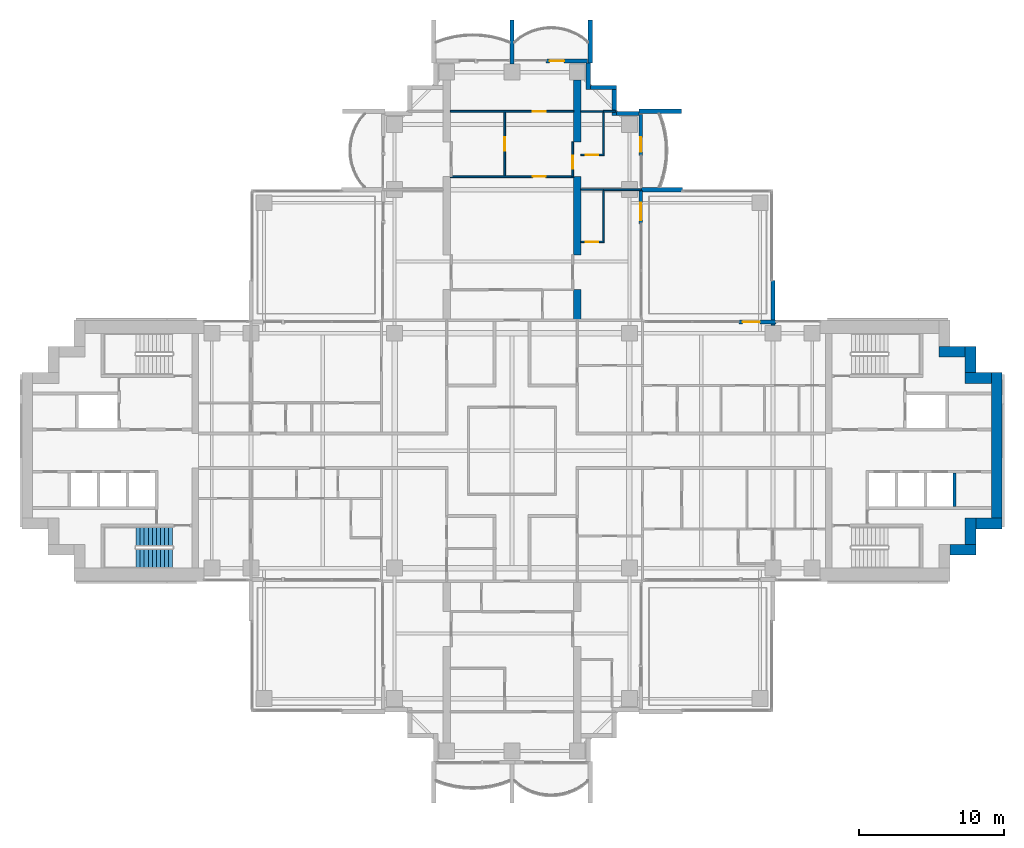
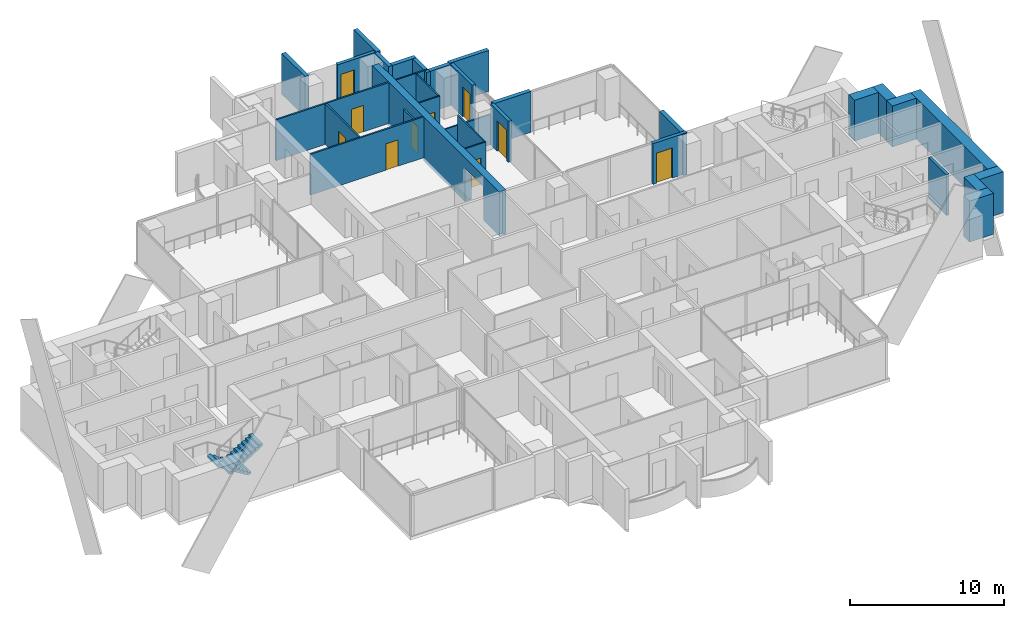
# One storey, part 14 of 19: 34 walls, 10 doors, 2 stair flights, 10 openings, 1 element without a shape of its own.
"""IFC4 building model written with IfcOpenShell, lengths in metres."""

from ifc_helpers import new_model, si_unit, direction, frame, frame_2d, origin, place, context, subcontext, project, spatial, polyline, rectangle, outline, extrude, material, layer, layer_set, material_profile, profile_set, type_object, element, fill, aggregate, save


model = new_model("IFC4")

# Units and contexts
model_context = context("Model", 3, precision=1e-05, world=origin(), true_north=direction((0.0, 1.0)))
body_context = subcontext(model_context, "Body", "Model", "MODEL_VIEW")
ifc_project = project(units=[si_unit("LENGTHUNIT", "METRE"), si_unit("AREAUNIT", "SQUARE_METRE"), si_unit("VOLUMEUNIT", "CUBIC_METRE"), si_unit("PLANEANGLEUNIT", "RADIAN"), si_unit("MASSUNIT", "GRAM", prefix="KILO")], contexts=[model_context])

# Site, building, storey
site_placement = place(None, origin())
site = spatial("IfcSite", under=ifc_project, at=site_placement, CompositionType="ELEMENT")
building_placement = place(site_placement, origin())
building = spatial("IfcBuilding", under=site, at=building_placement, Name="Perihelion Cross Residences", CompositionType="ELEMENT")
storey_placement = place(building_placement, frame((0.0, 0.0, 116.39990234375)))
storey = spatial("IfcBuildingStorey", under=building, at=storey_placement, Name="L27", CompositionType="ELEMENT", Elevation=116.39990234375)

# Wall, opening, door
ifc_material_1 = material(Name="Concrete C30/37, bronze-clad", Category="concrete")
ifc_layer_1 = layer(ifc_material_1, 0.25)
ifc_layer_set_1 = layer_set([ifc_layer_1], Name="Bronze-clad pier wall 250")
wall_type_1 = type_object("IfcWallType", Name="Bronze-clad pier wall 250", PredefinedType="SOLIDWALL", material=ifc_layer_set_1)
wall_1_placement = place(storey_placement, frame((18.199951171875, 8.875, 0.0), z_axis=(0.0, 0.0, 1.0), x_axis=(-1.0, 0.0, 0.0)))
wall_1 = element("IfcWall", 1, at=wall_1_placement, inside=storey, type_object=wall_type_1, Name="Wall FW1 L27 east side north bay 2 pier", PredefinedType="SOLIDWALL", context=body_context, shape_type="SweptSolid", body=[
    extrude(rectangle(XDim=2.550048828125, YDim=0.25, at=frame_2d((1.27490234375, 0.0))), origin(), (0.0, 0.0, 1.0), 3.25),
])
opening_1_placement = place(wall_1_placement, frame((1.10009765625, 0.0, 0.0)))
opening_1 = element("IfcOpeningElement", 2, at=opening_1_placement, cuts=wall_1, Name="Opening L27.E01", PredefinedType="OPENING", context=body_context, shape_type="SweptSolid", body=[
    extrude(rectangle(XDim=1.199951171875, YDim=2.39990234375, at=frame_2d((0.60009765625, 1.199951171875))), frame((0.0, 0.135009765625, 0.0), z_axis=(0.0, -1.0, 0.0), x_axis=(1.0, 0.0, 0.0)), (0.0, 0.0, 1.0), 0.27001953125),
])
ifc_material_2 = material(Name="Bronze anodised aluminium, glazed", Category="aluminium")
door_type_1 = type_object("IfcDoorType", Name="Balcony door 1200 x 2400", OperationType="NOTDEFINED", PredefinedType="DOOR", material=ifc_material_2)
door_1_placement = place(opening_1_placement, origin())
door_1 = element("IfcDoor", 3, at=door_1_placement, inside=storey, type_object=door_type_1, Name="Door L27.E01 east side north bay 2", OperationType="SINGLE_SWING_RIGHT", OverallHeight=2.39990234375, OverallWidth=1.199951171875, PredefinedType="DOOR", context=body_context, shape_type="SweptSolid", body=[
    extrude(rectangle(XDim=1.199951171875, YDim=2.39990234375, at=frame_2d((0.60009765625, 1.199951171875))), frame((0.0, 0.02490234375, 0.0), z_axis=(0.0, -1.0, 0.0), x_axis=(1.0, 0.0, 0.0)), (0.0, 0.0, 1.0), 0.050048828125),
])
fill(opening_1, door_1)

wall_2_placement = place(storey_placement, frame((8.875, 15.64990234375, 0.0), z_axis=(0.0, 0.0, 1.0), x_axis=(0.0, 1.0, 0.0)))
wall_2 = element("IfcWall", 4, at=wall_2_placement, inside=storey, type_object=wall_type_1, Name="Wall FW1 L27 north side east bay 1 pier", PredefinedType="SOLIDWALL", context=body_context, shape_type="SweptSolid", body=[
    extrude(rectangle(XDim=2.2900390625, YDim=0.25, at=frame_2d((1.14501953125, 0.0))), origin(), (0.0, 0.0, 1.0), 3.25),
])
opening_2_placement = place(wall_2_placement, frame((0.25, 0.0, 0.0)))
opening_2 = element("IfcOpeningElement", 5, at=opening_2_placement, cuts=wall_2, Name="Opening L27.E02", PredefinedType="OPENING", context=body_context, shape_type="SweptSolid", body=[
    extrude(rectangle(XDim=1.199951171875, YDim=2.39990234375, at=frame_2d((0.60009765625, 1.199951171875))), frame((0.0, 0.135009765625, 0.0), z_axis=(0.0, -1.0, 0.0), x_axis=(1.0, 0.0, 0.0)), (0.0, 0.0, 1.0), 0.27001953125),
])
door_2_placement = place(opening_2_placement, origin())
door_2 = element("IfcDoor", 6, at=door_2_placement, inside=storey, type_object=door_type_1, Name="Door L27.E02 north side east bay 1", OperationType="SINGLE_SWING_LEFT", OverallHeight=2.39990234375, OverallWidth=1.199951171875, PredefinedType="DOOR", context=body_context, shape_type="SweptSolid", body=[
    extrude(rectangle(XDim=1.199951171875, YDim=2.39990234375, at=frame_2d((0.60009765625, 1.199951171875))), frame((0.0, 0.02490234375, 0.0), z_axis=(0.0, -1.0, 0.0), x_axis=(1.0, 0.0, 0.0)), (0.0, 0.0, 1.0), 0.050048828125),
])
fill(opening_2, door_2)

wall_3_placement = place(storey_placement, frame((8.875, 20.35009765625, 0.0), z_axis=(0.0, 0.0, 1.0), x_axis=(0.0, 1.0, 0.0)))
wall_3 = element("IfcWall", 7, at=wall_3_placement, inside=storey, type_object=wall_type_1, Name="Wall FW1 L27 north side east bay 2 pier", PredefinedType="SOLIDWALL", context=body_context, shape_type="SweptSolid", body=[
    extrude(rectangle(XDim=2.849853515625, YDim=0.25, at=frame_2d((1.4248046875, 0.0))), origin(), (0.0, 0.0, 1.0), 3.25),
])
opening_3_placement = place(wall_3_placement, frame((0.25, 0.0, 0.0)))
opening_3 = element("IfcOpeningElement", 8, at=opening_3_placement, cuts=wall_3, Name="Opening L27.E03", PredefinedType="OPENING", context=body_context, shape_type="SweptSolid", body=[
    extrude(rectangle(XDim=1.0, YDim=2.39990234375, at=frame_2d((0.5, 1.199951171875))), frame((0.0, 0.135009765625, 0.0), z_axis=(0.0, -1.0, 0.0), x_axis=(1.0, 0.0, 0.0)), (0.0, 0.0, 1.0), 0.27001953125),
])
ifc_material_3 = material(Name="Bronze anodised aluminium, glazed", Category="aluminium")
door_type_2 = type_object("IfcDoorType", Name="Balcony door 1000 x 2400", OperationType="NOTDEFINED", PredefinedType="DOOR", material=ifc_material_3)
door_3_placement = place(opening_3_placement, origin())
door_3 = element("IfcDoor", 9, at=door_3_placement, inside=storey, type_object=door_type_2, Name="Door L27.E03 north side east bay 2", OperationType="SINGLE_SWING_RIGHT", OverallHeight=2.39990234375, OverallWidth=1.0, PredefinedType="DOOR", context=body_context, shape_type="SweptSolid", body=[
    extrude(rectangle(XDim=1.0, YDim=2.39990234375, at=frame_2d((0.5, 1.199951171875))), frame((0.0, 0.02490234375, 0.0), z_axis=(0.0, -1.0, 0.0), x_axis=(1.0, 0.0, 0.0)), (0.0, 0.0, 1.0), 0.050048828125),
])
fill(opening_3, door_3)

wall_4_placement = place(storey_placement, frame((5.199951171875, 26.875, 0.0), z_axis=(0.0, 0.0, 1.0), x_axis=(-1.0, 0.0, 0.0)))
wall_4 = element("IfcWall", 10, at=wall_4_placement, inside=storey, type_object=wall_type_1, Name="Wall FW1 L27 north tip north bay 1 pier", PredefinedType="SOLIDWALL", context=body_context, shape_type="SweptSolid", body=[
    extrude(rectangle(XDim=2.849853515625, YDim=0.25, at=frame_2d((1.4248046875, 0.0))), origin(), (0.0, 0.0, 1.0), 3.25),
])
opening_4_placement = place(wall_4_placement, frame((1.60009765625, 0.0, 0.0)))
opening_4 = element("IfcOpeningElement", 11, at=opening_4_placement, cuts=wall_4, Name="Opening L27.E04", PredefinedType="OPENING", context=body_context, shape_type="SweptSolid", body=[
    extrude(rectangle(XDim=1.0, YDim=2.39990234375, at=frame_2d((0.5, 1.199951171875))), frame((0.0, 0.135009765625, 0.0), z_axis=(0.0, -1.0, 0.0), x_axis=(1.0, 0.0, 0.0)), (0.0, 0.0, 1.0), 0.27001953125),
])
door_4_placement = place(opening_4_placement, origin())
door_4 = element("IfcDoor", 12, at=door_4_placement, inside=storey, type_object=door_type_2, Name="Door L27.E04 north tip north bay 1", OperationType="SINGLE_SWING_LEFT", OverallHeight=2.39990234375, OverallWidth=1.0, PredefinedType="DOOR", context=body_context, shape_type="SweptSolid", body=[
    extrude(rectangle(XDim=1.0, YDim=2.39990234375, at=frame_2d((0.5, 1.199951171875))), frame((0.0, 0.02490234375, 0.0), z_axis=(0.0, -1.0, 0.0), x_axis=(1.0, 0.0, 0.0)), (0.0, 0.0, 1.0), 0.050048828125),
])
fill(opening_4, door_4)

# Walls
ifc_material_4 = material(Name="Concrete C30/37, bronze-clad", Category="concrete")
ifc_layer_2 = layer(ifc_material_4, 0.300048828125)
ifc_layer_set_2 = layer_set([ifc_layer_2], Name="Bronze-clad serration wall 300")
wall_type_2 = type_object("IfcWallType", Name="Bronze-clad serration wall 300", PredefinedType="SOLIDWALL", material=ifc_layer_set_2)
wall_5_placement = place(storey_placement, frame((8.75, 23.25, 0.0), z_axis=(0.0, 0.0, 1.0), x_axis=(-1.0, 0.0, 0.0)))
element("IfcWall", 13, at=wall_5_placement, inside=storey, type_object=wall_type_2, Name="Wall SR1 L27 north corner north-east 1", PredefinedType="SOLIDWALL", context=body_context, shape_type="SweptSolid", body=[
    extrude(rectangle(XDim=1.550048828125, YDim=0.300048828125, at=frame_2d((0.77490234375, 0.0))), origin(), (0.0, 0.0, 1.0), 3.25),
])
wall_6_placement = place(storey_placement, frame((7.050048828125, 23.10009765625, 0.0), z_axis=(0.0, 0.0, 1.0), x_axis=(0.0, 1.0, 0.0)))
element("IfcWall", 14, at=wall_6_placement, inside=storey, type_object=wall_type_2, Name="Wall SR1 L27 north corner north-east 2", PredefinedType="SOLIDWALL", context=body_context, shape_type="SweptSolid", body=[
    extrude(rectangle(XDim=1.7998046875, YDim=0.300048828125, at=frame_2d((0.89990234375, 0.0))), origin(), (0.0, 0.0, 1.0), 3.25),
])
wall_7_placement = place(storey_placement, frame((7.199951171875, 25.050048828125, 0.0), z_axis=(0.0, 0.0, 1.0), x_axis=(-1.0, 0.0, 0.0)))
element("IfcWall", 15, at=wall_7_placement, inside=storey, type_object=wall_type_2, Name="Wall SR1 L27 north corner north-east 3", PredefinedType="SOLIDWALL", context=body_context, shape_type="SweptSolid", body=[
    extrude(rectangle(XDim=1.800048828125, YDim=0.300048828125, at=frame_2d((0.89990234375, 0.0))), origin(), (0.0, 0.0, 1.0), 3.25),
])
wall_8_placement = place(storey_placement, frame((5.25, 24.89990234375, 0.0), z_axis=(0.0, 0.0, 1.0), x_axis=(0.0, 1.0, 0.0)))
element("IfcWall", 16, at=wall_8_placement, inside=storey, type_object=wall_type_2, Name="Wall SR1 L27 north corner north-east 4", PredefinedType="SOLIDWALL", context=body_context, shape_type="SweptSolid", body=[
    extrude(rectangle(XDim=1.85009765625, YDim=0.300048828125, at=frame_2d((0.925048828125, 0.0))), origin(), (0.0, 0.0, 1.0), 3.25),
])
ifc_material_5 = material(Name="Concrete C60/75", Category="concrete")
ifc_layer_3 = layer(ifc_material_5, 0.75)
ifc_layer_set_3 = layer_set([ifc_layer_3], Name="Core wall, outer 750")
wall_type_3 = type_object("IfcWallType", Name="Core wall, outer 750", PredefinedType="SHEAR", material=ifc_layer_set_3)
for number, where, z_axis, x_axis, name in (
    (17, (30.199951171875, -6.824951171875, 0.0), (0.0, 0.0, 1.0), (1.0, 0.0, 0.0), "East core core wall, outer"),
    (18, (31.625, -6.449951171875, 0.0), (0.0, 0.0, 1.0), (0.0, 1.0, 0.0), "East core core wall, outer"),
    (19, (32.0, -5.02490234375, 0.0), (0.0, 0.0, 1.0), (1.0, 0.0, 0.0), "East core core wall, outer"),
):
    element("IfcWall", number, at=place(storey_placement, frame(where, z_axis=z_axis, x_axis=x_axis)), inside=storey, type_object=wall_type_3, Name=name, PredefinedType="SHEAR", context=body_context, shape_type="SweptSolid", body=[
        extrude(rectangle(XDim=1.800048828125, YDim=0.75, at=frame_2d((0.89990234375, 0.0))), origin(), (0.0, 0.0, 1.0), 3.25),
    ])
wall_9_placement = place(storey_placement, frame((33.425048828125, -4.64990234375, 0.0), z_axis=(0.0, 0.0, 1.0), x_axis=(0.0, 1.0, 0.0)))
element("IfcWall", 20, at=wall_9_placement, inside=storey, type_object=wall_type_3, Name="East core core wall, outer", PredefinedType="SHEAR", context=body_context, shape_type="SweptSolid", body=[
    extrude(rectangle(XDim=10.0498046875, YDim=0.75, at=frame_2d((5.02490234375, 0.0))), origin(), (0.0, 0.0, 1.0), 3.25),
])
for number, where, z_axis, x_axis, name in (
    (21, (31.25, 5.02490234375, 0.0), (0.0, 0.0, 1.0), (1.0, 0.0, 0.0), "East core core wall, outer"),
    (22, (31.625, 5.39990234375, 0.0), (0.0, 0.0, 1.0), (0.0, 1.0, 0.0), "East core core wall, outer"),
    (23, (29.449951171875, 6.824951171875, 0.0), (0.0, 0.0, 1.0), (1.0, 0.0, 0.0), "East core core wall, outer"),
):
    element("IfcWall", number, at=place(storey_placement, frame(where, z_axis=z_axis, x_axis=x_axis)), inside=storey, type_object=wall_type_3, Name=name, PredefinedType="SHEAR", context=body_context, shape_type="SweptSolid", body=[
        extrude(rectangle(XDim=1.800048828125, YDim=0.75, at=frame_2d((0.89990234375, 0.0))), origin(), (0.0, 0.0, 1.0), 3.25),
    ])

# Wall, opening, door
ifc_material_6 = material(Name="Plasterboard partition")
ifc_layer_4 = layer(ifc_material_6, 0.1201171875)
ifc_layer_set_4 = layer_set([ifc_layer_4], Name="Infill panel 120")
wall_type_4 = type_object("IfcWallType", Name="Infill panel 120", PredefinedType="PARTITIONING", material=ifc_layer_set_4)
wall_10_placement = place(storey_placement, frame((4.18994140625, 18.89990234375, 0.0), z_axis=(0.0, 0.0, 1.0), x_axis=(0.0, 1.0, 0.0)))
wall_10 = element("IfcWall", 24, at=wall_10_placement, inside=storey, type_object=wall_type_4, Name="Partition L27 WI02", PredefinedType="PARTITIONING", context=body_context, shape_type="SweptSolid", body=[
    extrude(rectangle(XDim=2.400146484375, YDim=0.1201171875, at=frame_2d((1.2001953125, 0.0))), origin(), (0.0, 0.0, 1.0), 2.400146484375),
])
opening_5_placement = place(wall_10_placement, frame((0.550048828125, 0.0, 0.0)))
opening_5 = element("IfcOpeningElement", 25, at=opening_5_placement, cuts=wall_10, Name="Opening L27.A54", PredefinedType="OPENING", context=body_context, shape_type="SweptSolid", body=[
    extrude(rectangle(XDim=0.89990234375, YDim=2.10009765625, at=frame_2d((0.449951171875, 1.050048828125))), frame((0.0, 0.070068359375, 0.0), z_axis=(0.0, -1.0, 0.0), x_axis=(1.0, 0.0, 0.0)), (0.0, 0.0, 1.0), 0.14013671875),
])
ifc_material_7 = material(Name="Timber door leaf", Category="wood")
door_type_3 = type_object("IfcDoorType", Name="Interior room door 900 x 2100", OperationType="SINGLE_SWING_LEFT", PredefinedType="DOOR", material=ifc_material_7)
door_5_placement = place(opening_5_placement, origin())
door_5 = element("IfcDoor", 26, at=door_5_placement, inside=storey, type_object=door_type_3, Name="Door L27.A54", OperationType="SINGLE_SWING_RIGHT", OverallHeight=2.10009765625, OverallWidth=0.89990234375, PredefinedType="DOOR", context=body_context, shape_type="SweptSolid", body=[
    extrude(rectangle(XDim=0.89990234375, YDim=2.10009765625, at=frame_2d((0.449951171875, 1.050048828125))), frame((0.0, 0.02490234375, 0.0), z_axis=(0.0, -1.0, 0.0), x_axis=(1.0, 0.0, 0.0)), (0.0, 0.0, 1.0), 0.050048828125),
])
fill(opening_5, door_5)

ifc_material_8 = material(Name="Plasterboard partition")
ifc_layer_5 = layer(ifc_material_8, 0.1201171875)
ifc_layer_set_5 = layer_set([ifc_layer_5], Name="Partition wall 120")
wall_type_5 = type_object("IfcWallType", Name="Partition wall 120", PredefinedType="PARTITIONING", material=ifc_layer_set_5)
wall_11_placement = place(storey_placement, frame((-4.25, 18.89990234375, 0.0), z_axis=(0.0, 0.0, 1.0), x_axis=(1.0, 0.0, 0.0)))
wall_11 = element("IfcWall", 27, at=wall_11_placement, inside=storey, type_object=wall_type_5, Name="Partition L27 W069", PredefinedType="PARTITIONING", context=body_context, shape_type="SweptSolid", body=[
    extrude(rectangle(XDim=8.5, YDim=0.1201171875, at=frame_2d((4.25, 0.0))), origin(), (0.0, 0.0, 1.0), 3.25),
])
opening_6_placement = place(wall_11_placement, frame((5.675048828125, 0.0, 0.0)))
opening_6 = element("IfcOpeningElement", 28, at=opening_6_placement, cuts=wall_11, Name="Opening L27.A38", PredefinedType="OPENING", context=body_context, shape_type="SweptSolid", body=[
    extrude(rectangle(XDim=0.89990234375, YDim=2.10009765625, at=frame_2d((0.449951171875, 1.050048828125))), frame((0.0, 0.070068359375, 0.0), z_axis=(0.0, -1.0, 0.0), x_axis=(1.0, 0.0, 0.0)), (0.0, 0.0, 1.0), 0.14013671875),
])
door_6_placement = place(opening_6_placement, origin())
door_6 = element("IfcDoor", 29, at=door_6_placement, inside=storey, type_object=door_type_3, Name="Door L27.A38", OperationType="SINGLE_SWING_LEFT", OverallHeight=2.10009765625, OverallWidth=0.89990234375, PredefinedType="DOOR", context=body_context, shape_type="SweptSolid", body=[
    extrude(rectangle(XDim=0.89990234375, YDim=2.10009765625, at=frame_2d((0.449951171875, 1.050048828125))), frame((0.0, 0.02490234375, 0.0), z_axis=(0.0, -1.0, 0.0), x_axis=(1.0, 0.0, 0.0)), (0.0, 0.0, 1.0), 0.050048828125),
])
fill(opening_6, door_6)

wall_12_placement = place(storey_placement, frame((-0.5, 18.9599609375, 0.0), z_axis=(0.0, 0.0, 1.0), x_axis=(0.0, 1.0, 0.0)))
wall_12 = element("IfcWall", 30, at=wall_12_placement, inside=storey, type_object=wall_type_5, Name="Partition L27 W070", PredefinedType="PARTITIONING", context=body_context, shape_type="SweptSolid", body=[
    extrude(rectangle(XDim=4.380126953125, YDim=0.1201171875, at=frame_2d((2.18994140625, 0.0))), origin(), (0.0, 0.0, 1.0), 3.25),
])
opening_7_placement = place(wall_12_placement, frame((1.739990234375, 0.0, 0.0)))
opening_7 = element("IfcOpeningElement", 31, at=opening_7_placement, cuts=wall_12, Name="Opening L27.A39", PredefinedType="OPENING", context=body_context, shape_type="SweptSolid", body=[
    extrude(rectangle(XDim=0.89990234375, YDim=2.10009765625, at=frame_2d((0.449951171875, 1.050048828125))), frame((0.0, 0.070068359375, 0.0), z_axis=(0.0, -1.0, 0.0), x_axis=(1.0, 0.0, 0.0)), (0.0, 0.0, 1.0), 0.14013671875),
])
door_7_placement = place(opening_7_placement, origin())
door_7 = element("IfcDoor", 32, at=door_7_placement, inside=storey, type_object=door_type_3, Name="Door L27.A39", OperationType="SINGLE_SWING_LEFT", OverallHeight=2.10009765625, OverallWidth=0.89990234375, PredefinedType="DOOR", context=body_context, shape_type="SweptSolid", body=[
    extrude(rectangle(XDim=0.89990234375, YDim=2.10009765625, at=frame_2d((0.449951171875, 1.050048828125))), frame((0.0, 0.02490234375, 0.0), z_axis=(0.0, -1.0, 0.0), x_axis=(1.0, 0.0, 0.0)), (0.0, 0.0, 1.0), 0.050048828125),
])
fill(opening_7, door_7)

wall_13_placement = place(storey_placement, frame((-4.25, 23.39990234375, 0.0), z_axis=(0.0, 0.0, 1.0), x_axis=(1.0, 0.0, 0.0)))
wall_13 = element("IfcWall", 33, at=wall_13_placement, inside=storey, type_object=wall_type_5, Name="Partition L27 W071", PredefinedType="PARTITIONING", context=body_context, shape_type="SweptSolid", body=[
    extrude(rectangle(XDim=8.5, YDim=0.1201171875, at=frame_2d((4.25, 0.0))), origin(), (0.0, 0.0, 1.0), 3.25),
])
opening_8_placement = place(wall_13_placement, frame((5.675048828125, 0.0, 0.0)))
opening_8 = element("IfcOpeningElement", 34, at=opening_8_placement, cuts=wall_13, Name="Opening L27.A40", PredefinedType="OPENING", context=body_context, shape_type="SweptSolid", body=[
    extrude(rectangle(XDim=0.89990234375, YDim=2.10009765625, at=frame_2d((0.449951171875, 1.050048828125))), frame((0.0, 0.070068359375, 0.0), z_axis=(0.0, -1.0, 0.0), x_axis=(1.0, 0.0, 0.0)), (0.0, 0.0, 1.0), 0.14013671875),
])
door_8_placement = place(opening_8_placement, origin())
door_8 = element("IfcDoor", 35, at=door_8_placement, inside=storey, type_object=door_type_3, Name="Door L27.A40", OperationType="SINGLE_SWING_RIGHT", OverallHeight=2.10009765625, OverallWidth=0.89990234375, PredefinedType="DOOR", context=body_context, shape_type="SweptSolid", body=[
    extrude(rectangle(XDim=0.89990234375, YDim=2.10009765625, at=frame_2d((0.449951171875, 1.050048828125))), frame((0.0, 0.02490234375, 0.0), z_axis=(0.0, -1.0, 0.0), x_axis=(1.0, 0.0, 0.0)), (0.0, 0.0, 1.0), 0.050048828125),
])
fill(opening_8, door_8)

# Walls
wall_14_placement = place(storey_placement, frame((6.300048828125, 18.0, 0.0), z_axis=(0.0, 0.0, 1.0), x_axis=(1.0, 0.0, 0.0)))
element("IfcWall", 36, at=wall_14_placement, inside=storey, type_object=wall_type_5, Name="Partition L27 W074", PredefinedType="PARTITIONING", context=body_context, shape_type="SweptSolid", body=[
    extrude(rectangle(XDim=2.619873046875, YDim=0.1201171875, at=frame_2d((1.31005859375, 0.0))), origin(), (0.0, 0.0, 1.0), 2.4140625),
])
wall_15_placement = place(storey_placement, frame((6.300048828125, 23.39990234375, 0.0), z_axis=(0.0, 0.0, 1.0), x_axis=(1.0, 0.0, 0.0)))
element("IfcWall", 37, at=wall_15_placement, inside=storey, type_object=wall_type_5, Name="Partition L27 W078", PredefinedType="PARTITIONING", context=body_context, shape_type="SweptSolid", body=[
    extrude(rectangle(XDim=0.820068359375, YDim=0.1201171875, at=frame_2d((0.41015625, 0.0))), origin(), (0.0, 0.0, 1.0), 3.25),
])
ifc_material_9 = material(Name="Precast concrete C50/60", Category="concrete")
ifc_layer_6 = layer(ifc_material_9, 0.300048828125)
ifc_layer_set_6 = layer_set([ifc_layer_6], Name="Precast concrete C50/60 blade wall 300")
wall_type_6 = type_object("IfcWallType", Name="Precast concrete C50/60 blade wall 300", PredefinedType="SOLIDWALL", material=ifc_layer_set_6)
wall_16_placement = place(storey_placement, frame((0.0, 26.64990234375, 0.0), z_axis=(0.0, 0.0, 1.0), x_axis=(0.0, 1.0, 0.0)))
element("IfcWall", 38, at=wall_16_placement, inside=storey, type_object=wall_type_6, Name="Wall BL1 L27 no. 9", PredefinedType="SOLIDWALL", context=body_context, shape_type="SweptSolid", body=[
    extrude(rectangle(XDim=3.050048828125, YDim=0.300048828125, at=frame_2d((1.52490234375, 0.0))), origin(), (0.0, 0.0, 1.0), 3.25),
])
wall_17_placement = place(storey_placement, frame((5.39990234375, 26.75, 0.0), z_axis=(0.0, 0.0, 1.0), x_axis=(0.0, 1.0, 0.0)))
element("IfcWall", 39, at=wall_17_placement, inside=storey, type_object=wall_type_6, Name="Wall BL1 L27 no. 13", PredefinedType="SOLIDWALL", context=body_context, shape_type="SweptSolid", body=[
    extrude(rectangle(XDim=2.949951171875, YDim=0.300048828125, at=frame_2d((1.47509765625, 0.0))), origin(), (0.0, 0.0, 1.0), 3.25),
])
wall_18_placement = place(storey_placement, frame((8.919921875, 18.0, 0.0), z_axis=(0.0, 0.0, 1.0), x_axis=(1.0, 0.0, 0.0)))
element("IfcWall", 40, at=wall_18_placement, inside=storey, type_object=wall_type_6, Name="Wall BL1 L27 no. 15", PredefinedType="SOLIDWALL", context=body_context, shape_type="SweptSolid", body=[
    extrude(rectangle(XDim=2.820068359375, YDim=0.300048828125, at=frame_2d((1.41015625, 0.0))), origin(), (0.0, 0.0, 1.0), 3.25),
])
wall_19_placement = place(storey_placement, frame((8.75, 23.39990234375, 0.0), z_axis=(0.0, 0.0, 1.0), x_axis=(1.0, 0.0, 0.0)))
element("IfcWall", 41, at=wall_19_placement, inside=storey, type_object=wall_type_6, Name="Wall BL1 L27 no. 16", PredefinedType="SOLIDWALL", context=body_context, shape_type="SweptSolid", body=[
    extrude(rectangle(XDim=2.949951171875, YDim=0.300048828125, at=frame_2d((1.47509765625, 0.0))), origin(), (0.0, 0.0, 1.0), 3.25),
])
wall_20_placement = place(storey_placement, frame((18.0, 8.64990234375, 0.0), z_axis=(0.0, 0.0, 1.0), x_axis=(0.0, 1.0, 0.0)))
element("IfcWall", 42, at=wall_20_placement, inside=storey, type_object=wall_type_6, Name="Wall BL1 L27 no. 11", PredefinedType="SOLIDWALL", context=body_context, shape_type="SweptSolid", body=[
    extrude(rectangle(XDim=3.090087890625, YDim=0.300048828125, at=frame_2d((1.544921875, 0.0))), origin(), (0.0, 0.0, 1.0), 3.25),
])
ifc_material_10 = material(Name="Concrete C50/60", Category="concrete")
ifc_layer_7 = layer(ifc_material_10, 0.199951171875)
ifc_layer_set_7 = layer_set([ifc_layer_7], Name="Shaft wall 200")
wall_type_7 = type_object("IfcWallType", Name="Shaft wall 200", PredefinedType="SOLIDWALL", material=ifc_layer_set_7)
wall_21_placement = place(storey_placement, frame((30.5, -3.85009765625, 0.0), z_axis=(0.0, 0.0, 1.0), x_axis=(0.0, 1.0, 0.0)))
element("IfcWall", 43, at=wall_21_placement, inside=storey, type_object=wall_type_7, Name="East core shaft wall", PredefinedType="SOLIDWALL", context=body_context, shape_type="SweptSolid", body=[
    extrude(rectangle(XDim=2.300048828125, YDim=0.199951171875, at=frame_2d((1.14990234375, 0.0))), origin(), (0.0, 0.0, 1.0), 3.25),
])
ifc_material_11 = material(Name="Concrete C60/75", Category="concrete")
ifc_material_profile = material_profile(ifc_material_11, outline(polyline([(0.0, 0.0), (2.10009765625, 0.0), (2.10009765625, 2.64990234375), (4.5, 2.64990234375), (4.5, 0.0), (9.89990234375, 0.0), (9.89990234375, 2.64990234375), (12.300048828125, 2.64990234375), (12.300048828125, 0.0), (16.550048828125, 0.0), (16.550048828125, 3.5), (0.0, 3.5), (0.0, 0.0)])), Name="Tip spine wall")
ifc_profile_set = profile_set([ifc_material_profile], Name="Concrete C60/75")
wall_type_8 = type_object("IfcWallType", Name="Tip spine wall 500 with 2 door openings 16550 long 3500 high concrete C60/75", PredefinedType="SHEAR", material=ifc_profile_set)
wall_22_placement = place(storey_placement, frame((4.25, 9.0, -0.25), z_axis=(1.0, 0.0, 0.0), x_axis=(0.0, 1.0, 0.0)))
element("IfcWall", 44, at=wall_22_placement, inside=storey, type_object=wall_type_8, Name="Shear wall SW34 L27 north east", PredefinedType="SHEAR", context=body_context, shape_type="SweptSolid", body=[
    extrude(outline(polyline([(0.0, 0.0), (2.10009765625, 0.0), (2.10009765625, 2.64990234375), (4.5, 2.64990234375), (4.5, 0.0), (9.89990234375, 0.0), (9.89990234375, 2.64990234375), (12.300048828125, 2.64990234375), (12.300048828125, 0.0), (16.550048828125, 0.0), (16.550048828125, 3.5), (0.0, 3.5), (0.0, 0.0)])), origin(), (0.0, 0.0, 1.0), 0.5),
])

# Wall, opening, door
ifc_material_12 = material(Name="Plasterboard partition")
ifc_layer_8 = layer(ifc_material_12, 0.10009765625)
ifc_layer_set_8 = layer_set([ifc_layer_8], Name="Wet room wall 100")
wall_type_9 = type_object("IfcWallType", Name="Wet room wall 100", PredefinedType="PARTITIONING", material=ifc_layer_set_8)
wall_23_placement = place(storey_placement, frame((4.75, 14.39990234375, 0.0), z_axis=(0.0, 0.0, 1.0), x_axis=(1.0, 0.0, 0.0)))
wall_23 = element("IfcWall", 45, at=wall_23_placement, inside=storey, type_object=wall_type_9, Name="Partition L27 W072", PredefinedType="PARTITIONING", context=body_context, shape_type="SweptSolid", body=[
    extrude(rectangle(XDim=1.60009765625, YDim=0.10009765625, at=frame_2d((0.800048828125, 0.0))), origin(), (0.0, 0.0, 1.0), 3.25),
])
opening_9_placement = place(wall_23_placement, frame((0.35009765625, 0.0, 0.0)))
opening_9 = element("IfcOpeningElement", 46, at=opening_9_placement, cuts=wall_23, Name="Opening L27.A41", PredefinedType="OPENING", context=body_context, shape_type="SweptSolid", body=[
    extrude(rectangle(XDim=0.85009765625, YDim=2.10009765625, at=frame_2d((0.425048828125, 1.050048828125))), frame((0.0, 0.06005859375, 0.0), z_axis=(0.0, -1.0, 0.0), x_axis=(1.0, 0.0, 0.0)), (0.0, 0.0, 1.0), 0.1201171875),
])
ifc_material_13 = material(Name="Timber door leaf", Category="wood")
door_type_4 = type_object("IfcDoorType", Name="Interior bathroom door 850 x 2100", OperationType="SINGLE_SWING_LEFT", PredefinedType="DOOR", material=ifc_material_13)
door_9_placement = place(opening_9_placement, origin())
door_9 = element("IfcDoor", 47, at=door_9_placement, inside=storey, type_object=door_type_4, Name="Door L27.A41", OperationType="SINGLE_SWING_LEFT", OverallHeight=2.10009765625, OverallWidth=0.85009765625, PredefinedType="DOOR", context=body_context, shape_type="SweptSolid", body=[
    extrude(rectangle(XDim=0.85009765625, YDim=2.10009765625, at=frame_2d((0.425048828125, 1.050048828125))), frame((0.0, 0.02490234375, 0.0), z_axis=(0.0, -1.0, 0.0), x_axis=(1.0, 0.0, 0.0)), (0.0, 0.0, 1.0), 0.050048828125),
])
fill(opening_9, door_9)

# Walls
wall_24_placement = place(storey_placement, frame((6.300048828125, 14.449951171875, 0.0), z_axis=(0.0, 0.0, 1.0), x_axis=(0.0, 1.0, 0.0)))
element("IfcWall", 48, at=wall_24_placement, inside=storey, type_object=wall_type_9, Name="Partition L27 W073", PredefinedType="PARTITIONING", context=body_context, shape_type="SweptSolid", body=[
    extrude(rectangle(XDim=3.489990234375, YDim=0.10009765625, at=frame_2d((1.7451171875, 0.0))), origin(), (0.0, 0.0, 1.0), 3.25),
])
wall_25_placement = place(storey_placement, frame((4.75, 18.0, 0.0), z_axis=(0.0, 0.0, 1.0), x_axis=(1.0, 0.0, 0.0)))
element("IfcWall", 49, at=wall_25_placement, inside=storey, type_object=wall_type_9, Name="Partition L27 W075", PredefinedType="PARTITIONING", context=body_context, shape_type="SweptSolid", body=[
    extrude(rectangle(XDim=1.550048828125, YDim=0.10009765625, at=frame_2d((0.77490234375, 0.0))), origin(), (0.0, 0.0, 1.0), 2.4140625),
])

# Wall, opening, door
wall_26_placement = place(storey_placement, frame((4.75, 20.39990234375, 0.0), z_axis=(0.0, 0.0, 1.0), x_axis=(1.0, 0.0, 0.0)))
wall_26 = element("IfcWall", 50, at=wall_26_placement, inside=storey, type_object=wall_type_9, Name="Partition L27 W076", PredefinedType="PARTITIONING", context=body_context, shape_type="SweptSolid", body=[
    extrude(rectangle(XDim=1.60009765625, YDim=0.10009765625, at=frame_2d((0.800048828125, 0.0))), origin(), (0.0, 0.0, 1.0), 3.25),
])
opening_10_placement = place(wall_26_placement, frame((0.35009765625, 0.0, 0.0)))
opening_10 = element("IfcOpeningElement", 51, at=opening_10_placement, cuts=wall_26, Name="Opening L27.A42", PredefinedType="OPENING", context=body_context, shape_type="SweptSolid", body=[
    extrude(rectangle(XDim=0.85009765625, YDim=2.10009765625, at=frame_2d((0.425048828125, 1.050048828125))), frame((0.0, 0.06005859375, 0.0), z_axis=(0.0, -1.0, 0.0), x_axis=(1.0, 0.0, 0.0)), (0.0, 0.0, 1.0), 0.1201171875),
])
door_10_placement = place(opening_10_placement, origin())
door_10 = element("IfcDoor", 52, at=door_10_placement, inside=storey, type_object=door_type_4, Name="Door L27.A42", OperationType="SINGLE_SWING_RIGHT", OverallHeight=2.10009765625, OverallWidth=0.85009765625, PredefinedType="DOOR", context=body_context, shape_type="SweptSolid", body=[
    extrude(rectangle(XDim=0.85009765625, YDim=2.10009765625, at=frame_2d((0.425048828125, 1.050048828125))), frame((0.0, 0.02490234375, 0.0), z_axis=(0.0, -1.0, 0.0), x_axis=(1.0, 0.0, 0.0)), (0.0, 0.0, 1.0), 0.050048828125),
])
fill(opening_10, door_10)

# Walls
wall_27_placement = place(storey_placement, frame((6.300048828125, 20.449951171875, 0.0), z_axis=(0.0, 0.0, 1.0), x_axis=(0.0, 1.0, 0.0)))
element("IfcWall", 53, at=wall_27_placement, inside=storey, type_object=wall_type_9, Name="Partition L27 W077", PredefinedType="PARTITIONING", context=body_context, shape_type="SweptSolid", body=[
    extrude(rectangle(XDim=2.89013671875, YDim=0.10009765625, at=frame_2d((1.445068359375, 0.0))), origin(), (0.0, 0.0, 1.0), 3.25),
])
wall_28_placement = place(storey_placement, frame((4.75, 23.39990234375, 0.0), z_axis=(0.0, 0.0, 1.0), x_axis=(1.0, 0.0, 0.0)))
element("IfcWall", 54, at=wall_28_placement, inside=storey, type_object=wall_type_9, Name="Partition L27 W079", PredefinedType="PARTITIONING", context=body_context, shape_type="SweptSolid", body=[
    extrude(rectangle(XDim=1.550048828125, YDim=0.10009765625, at=frame_2d((0.77490234375, 0.0))), origin(), (0.0, 0.0, 1.0), 3.25),
])

# Stair, stair flights
ifc_material_14 = material(Name="Concrete C40/50", Category="concrete")
stair_type = type_object("IfcStairType", Name="Exit stair, half-turn", PredefinedType="HALF_TURN_STAIR", material=ifc_material_14)
stair_placement = place(storey_placement, origin())
stair = element("IfcStair", 55, at=stair_placement, inside=storey, type_object=stair_type, Name="L27 West core exit stair 2", PredefinedType="HALF_TURN_STAIR")
ifc_material_15 = material(Name="Concrete C40/50", Category="concrete")
stair_flight_type = type_object("IfcStairFlightType", Name="Exit stair flight", PredefinedType="STRAIGHT", material=ifc_material_15)
stair_flight_1_placement = place(storey_placement, frame((-23.39990234375, -5.925048828125, 0.0), z_axis=(0.0, 0.0, 1.0), x_axis=(-1.0, 0.0, 0.0)))
stair_flight_1 = element("IfcStairFlight", 56, at=stair_flight_1_placement, type_object=stair_flight_type, Name="ST-W2 flight 1", NumberOfRisers=10, NumberOfTreads=9, PredefinedType="STRAIGHT", RiserHeight=0.175, TreadLength=0.28, context=body_context, shape_type="SweptSolid", body=[
    extrude(outline(polyline([(0.0, 0.0), (0.0, 0.175048828125), (0.280029296875, 0.175048828125), (0.280029296875, 0.35009765625), (0.56005859375, 0.35009765625), (0.56005859375, 0.52490234375), (0.840087890625, 0.52490234375), (0.840087890625, 0.699951171875), (1.1201171875, 0.699951171875), (1.1201171875, 0.875), (1.39990234375, 0.875), (1.39990234375, 1.050048828125), (1.679931640625, 1.050048828125), (1.679931640625, 1.22509765625), (1.9599609375, 1.22509765625), (1.9599609375, 1.39990234375), (2.239990234375, 1.39990234375), (2.239990234375, 1.574951171875), (2.52001953125, 1.574951171875), (2.52001953125, 1.75), (2.52001953125, 1.398193359375), (0.28271484375, 0.0), (0.0, 0.0)])), frame((0.0, 0.675048828125, 0.0), z_axis=(0.0, -1.0, 0.0), x_axis=(1.0, 0.0, 0.0)), (0.0, 0.0, 1.0), 1.35009765625),
])
stair_flight_2_placement = place(storey_placement, frame((-25.919921875, -7.425048828125, 1.75), z_axis=(0.0, 0.0, 1.0), x_axis=(1.0, 0.0, 0.0)))
stair_flight_2 = element("IfcStairFlight", 57, at=stair_flight_2_placement, type_object=stair_flight_type, Name="ST-W2 flight 2", NumberOfRisers=10, NumberOfTreads=9, PredefinedType="STRAIGHT", RiserHeight=0.175, TreadLength=0.28, context=body_context, shape_type="SweptSolid", body=[
    extrude(outline(polyline([(0.0, 0.0), (0.0, 0.175048828125), (0.280029296875, 0.175048828125), (0.280029296875, 0.35009765625), (0.56005859375, 0.35009765625), (0.56005859375, 0.52490234375), (0.840087890625, 0.52490234375), (0.840087890625, 0.699951171875), (1.1201171875, 0.699951171875), (1.1201171875, 0.875), (1.39990234375, 0.875), (1.39990234375, 1.050048828125), (1.679931640625, 1.050048828125), (1.679931640625, 1.22509765625), (1.9599609375, 1.22509765625), (1.9599609375, 1.39990234375), (2.239990234375, 1.39990234375), (2.239990234375, 1.574951171875), (2.52001953125, 1.574951171875), (2.52001953125, 1.75), (2.52001953125, 1.398193359375), (0.28271484375, 0.0), (0.0, 0.0)])), frame((0.0, 0.675048828125, 0.0), z_axis=(0.0, -1.0, 0.0), x_axis=(1.0, 0.0, 0.0)), (0.0, 0.0, 1.0), 1.35009765625),
])
aggregate(stair, [stair_flight_1, stair_flight_2])

save(model, "model.ifc")
